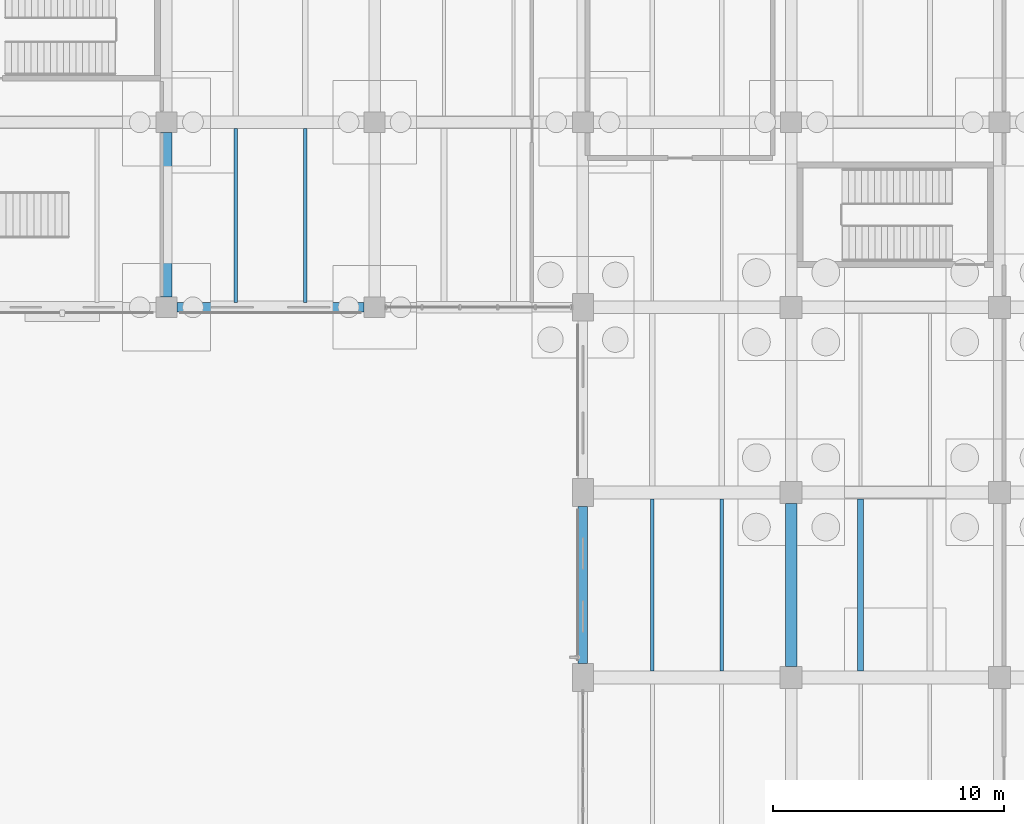
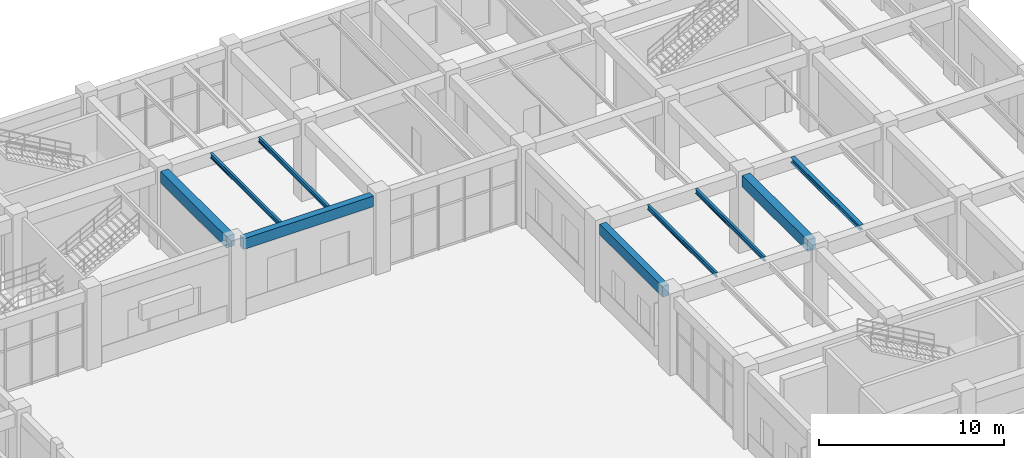
# One storey, part 70 of 121: 9 beams.
"""IFC4 building model written with IfcOpenShell, lengths in metres."""

from ifc_helpers import new_model, si_unit, derived_unit, direction, frame, origin, origin_2d, place, context, subcontext, project, spatial, rectangle, i_section, extrude, material, material_profile, profile_set, type_object, element, save


model = new_model("IFC4")

# Units and contexts
model_context = context("Model", 3, precision=1e-05, world=origin(), true_north=direction((0.0, 1.0)))
body_context = subcontext(model_context, "Body", "Model", "MODEL_VIEW")
ifc_project = project(units=[si_unit("LENGTHUNIT", "METRE"), si_unit("AREAUNIT", "SQUARE_METRE"), si_unit("VOLUMEUNIT", "CUBIC_METRE"), si_unit("PLANEANGLEUNIT", "RADIAN"), si_unit("MASSUNIT", "GRAM", prefix="KILO"), derived_unit("THERMALTRANSMITTANCEUNIT", [(si_unit("MASSUNIT", "GRAM", prefix="KILO"), 1), (si_unit("TIMEUNIT", "SECOND"), -3), (si_unit("THERMODYNAMICTEMPERATUREUNIT", "KELVIN"), -1)])], contexts=[model_context])

# Site, building, storey
site_placement = place(None, origin())
site = spatial("IfcSite", under=ifc_project, at=site_placement, CompositionType="ELEMENT")
building_placement = place(site_placement, origin())
building = spatial("IfcBuilding", under=site, at=building_placement, Name="Zhenchuan Archway Interchange", CompositionType="ELEMENT")
storey_placement = place(building_placement, origin())
storey = spatial("IfcBuildingStorey", under=building, at=storey_placement, Name="L00", CompositionType="ELEMENT", Elevation=0.0)

# Beams
ifc_material_1 = material(Name="Concrete C40", Category="concrete")
ifc_material_profile_1 = material_profile(ifc_material_1, rectangle(XDim=0.5, YDim=0.75, at=origin_2d()), Name="RC 500x750")
ifc_profile_set_1 = profile_set([ifc_material_profile_1], Name="Concrete C40")
beam_type_1 = type_object("IfcBeamType", Name="BM_RC_500x750", PredefinedType="BEAM", material=ifc_profile_set_1)
beam_1_placement = place(storey_placement, frame((126.0, 88.449951171875, 4.705078125), z_axis=(0.0, 1.0, 0.0), x_axis=(-1.0, 0.0, 0.0)))
element("IfcBeam", 1, at=beam_1_placement, inside=storey, type_object=beam_type_1, Name="Beam 15:M-N (L00)", PredefinedType="BEAM", context=body_context, shape_type="SweptSolid", body=[
    extrude(rectangle(XDim=0.5, YDim=0.75, at=origin_2d()), origin(), (0.0, 0.0, 1.0), 7.10009765625),
])
beam_2_placement = place(storey_placement, frame((153.0, 72.47509765625, 4.705078125), z_axis=(0.0, 1.0, 0.0), x_axis=(-1.0, 0.0, 0.0)))
element("IfcBeam", 2, at=beam_2_placement, inside=storey, type_object=beam_type_1, Name="Beam 18:K-L (L00)", PredefinedType="BEAM", context=body_context, shape_type="SweptSolid", body=[
    extrude(rectangle(XDim=0.5, YDim=0.75, at=origin_2d()), origin(), (0.0, 0.0, 1.0), 7.0498046875),
])
ifc_material_2 = material(Name="Steel Q355", Category="steel")
ifc_material_profile_2 = material_profile(ifc_material_2, i_section(OverallWidth=0.25, OverallDepth=0.340087890625, WebThickness=0.009033203125, FlangeThickness=0.013916015625, FilletRadius=0.01806640625, at=origin_2d()), Name="HM 340x250")
ifc_profile_set_2 = profile_set([ifc_material_profile_2], Name="Steel Q355")
beam_type_2 = type_object("IfcBeamType", Name="JST_STL_HM340", PredefinedType="JOIST", material=ifc_profile_set_2)
beam_3_placement = place(storey_placement, frame((156.0, 72.27490234375, 4.909912109375), z_axis=(0.0, 1.0, 0.0), x_axis=(-1.0, 0.0, 0.0)))
element("IfcBeam", 3, at=beam_3_placement, inside=storey, type_object=beam_type_2, Name="Secondary joist 18-19/K-L #1 (L00)", PredefinedType="JOIST", context=body_context, shape_type="SweptSolid", body=[
    extrude(i_section(OverallWidth=0.25, OverallDepth=0.340087890625, WebThickness=0.009033203125, FlangeThickness=0.013916015625, FilletRadius=0.01806640625, at=origin_2d()), origin(), (0.0, 0.0, 1.0), 7.4501953125),
])
ifc_material_profile_3 = material_profile(ifc_material_2, i_section(OverallWidth=0.14990234375, OverallDepth=0.300048828125, WebThickness=0.006591796875, FlangeThickness=0.009033203125, FilletRadius=0.012939453125, at=origin_2d()), Name="HN 300x150")
ifc_profile_set_3 = profile_set([ifc_material_profile_3], Name="Steel Q355")
beam_type_3 = type_object("IfcBeamType", Name="JST_STL_HN300", PredefinedType="JOIST", material=ifc_profile_set_3)
for number, where, z_axis, x_axis, name in (
    (4, (129.0, 88.199951171875, 4.929931640625), (0.0, 1.0, 0.0), (-1.0, 0.0, 0.0), "Secondary joist 15-16/M-N #1 (L00)"),
    (5, (132.0, 88.199951171875, 4.929931640625), (0.0, 1.0, 0.0), (-1.0, 0.0, 0.0), "Secondary joist 15-16/M-N #2 (L00)"),
):
    element("IfcBeam", number, at=place(storey_placement, frame(where, z_axis=z_axis, x_axis=x_axis)), inside=storey, type_object=beam_type_3, Name=name, PredefinedType="JOIST", context=body_context, shape_type="SweptSolid", body=[
        extrude(i_section(OverallWidth=0.14990234375, OverallDepth=0.300048828125, WebThickness=0.006591796875, FlangeThickness=0.009033203125, FilletRadius=0.012939453125, at=origin_2d()), origin(), (0.0, 0.0, 1.0), 7.525146484375),
    ])
for number, where, z_axis, x_axis, name in (
    (6, (147.0, 72.27490234375, 4.929931640625), (0.0, 1.0, 0.0), (-1.0, 0.0, 0.0), "Secondary joist 17-18/K-L #1 (L00)"),
    (7, (150.0, 72.27490234375, 4.929931640625), (0.0, 1.0, 0.0), (-1.0, 0.0, 0.0), "Secondary joist 17-18/K-L #2 (L00)"),
):
    element("IfcBeam", number, at=place(storey_placement, frame(where, z_axis=z_axis, x_axis=x_axis)), inside=storey, type_object=beam_type_3, Name=name, PredefinedType="JOIST", context=body_context, shape_type="SweptSolid", body=[
        extrude(i_section(OverallWidth=0.14990234375, OverallDepth=0.300048828125, WebThickness=0.006591796875, FlangeThickness=0.009033203125, FilletRadius=0.012939453125, at=origin_2d()), origin(), (0.0, 0.0, 1.0), 7.4501953125),
    ])
ifc_material_profile_4 = material_profile(ifc_material_1, rectangle(XDim=0.39990234375, YDim=0.699951171875, at=origin_2d()), Name="RC 400x700")
ifc_profile_set_4 = profile_set([ifc_material_profile_4], Name="Concrete C40")
beam_type_4 = type_object("IfcBeamType", Name="SP_RC_400x700", PredefinedType="SPANDREL", material=ifc_profile_set_4)
beam_4_placement = place(storey_placement, frame((126.449951171875, 88.0, 4.72998046875), z_axis=(1.0, 0.0, 0.0), x_axis=(0.0, 1.0, 0.0)))
element("IfcBeam", 8, at=beam_4_placement, inside=storey, type_object=beam_type_4, Name="Beam M:15-16 (L00)", PredefinedType="SPANDREL", context=body_context, shape_type="SweptSolid", body=[
    extrude(rectangle(XDim=0.39990234375, YDim=0.699951171875, at=origin_2d()), origin(), (0.0, 0.0, 1.0), 8.10009765625),
])
beam_5_placement = place(storey_placement, frame((144.0, 72.60009765625, 4.72998046875), z_axis=(0.0, 1.0, 0.0), x_axis=(-1.0, 0.0, 0.0)))
element("IfcBeam", 9, at=beam_5_placement, inside=storey, type_object=beam_type_4, Name="Beam 17:K-L (L00)", PredefinedType="SPANDREL", context=body_context, shape_type="SweptSolid", body=[
    extrude(rectangle(XDim=0.39990234375, YDim=0.699951171875, at=origin_2d()), origin(), (0.0, 0.0, 1.0), 6.7998046875),
])

save(model, "model.ifc")
